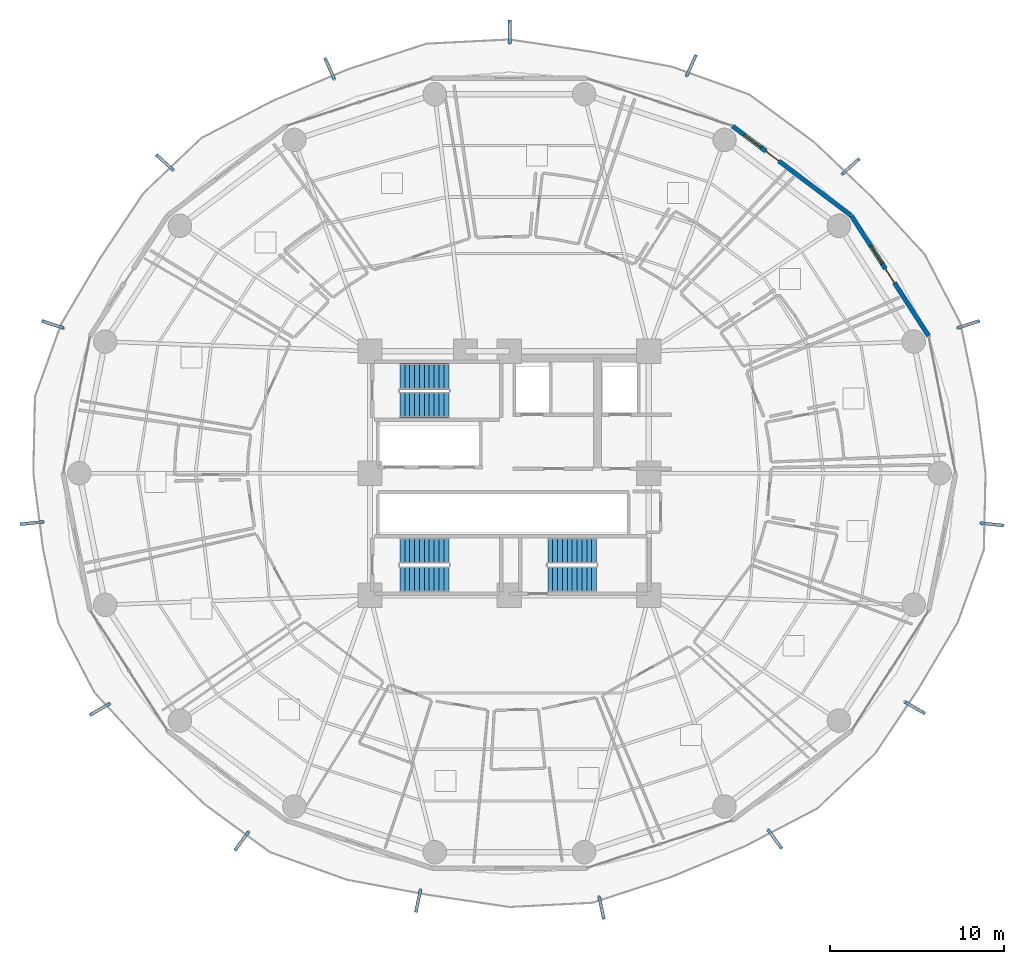
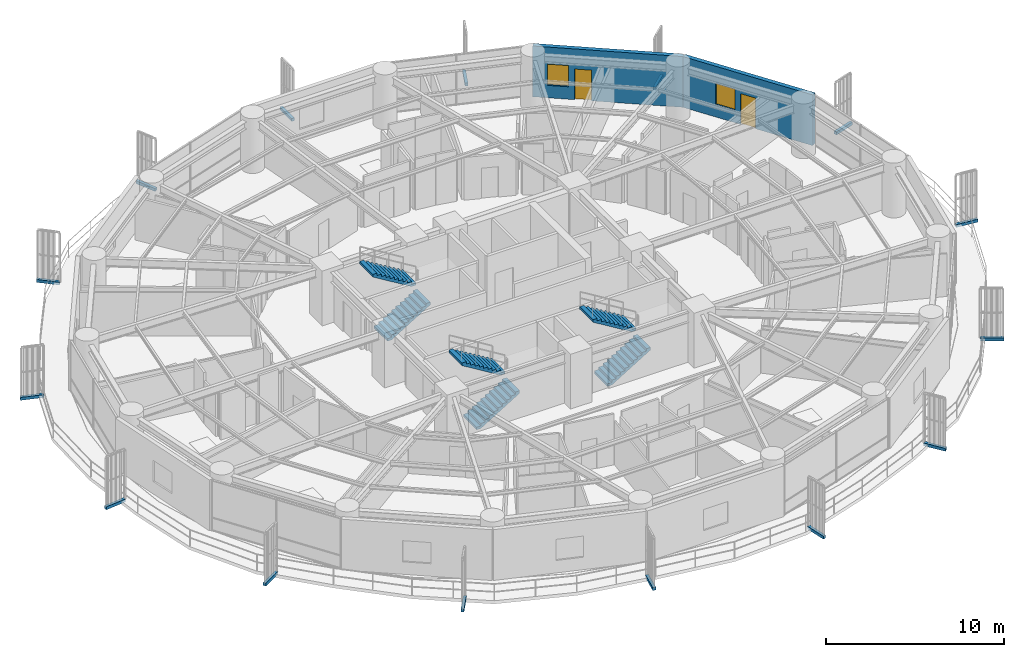
# One storey, part 31 of 35: 15 discrete accessories, 6 stair flights, 2 doors, 2 walls, 2 windows, 4 openings, 3 elements without a shape of their own.
"""IFC4 building model written with IfcOpenShell, lengths in metres."""

from ifc_helpers import new_model, si_unit, direction, frame, frame_2d, origin, origin_2d, place, context, subcontext, project, spatial, polyline, rectangle, outline, extrude, source, transform, mapped, material, layer, layer_set, type_object, element, fill, aggregate, save


model = new_model("IFC4")

# Units and contexts
model_context = context("Model", 3, precision=1e-05, world=origin(), true_north=direction((0.0, 1.0)))
body_context = subcontext(model_context, "Body", "Model", "MODEL_VIEW")
ifc_project = project(units=[si_unit("LENGTHUNIT", "METRE"), si_unit("AREAUNIT", "SQUARE_METRE"), si_unit("VOLUMEUNIT", "CUBIC_METRE"), si_unit("PLANEANGLEUNIT", "RADIAN"), si_unit("MASSUNIT", "GRAM", prefix="KILO")], contexts=[model_context])

# Site, building, storey
site_placement = place(None, origin())
site = spatial("IfcSite", under=ifc_project, at=site_placement, CompositionType="ELEMENT")
building_placement = place(site_placement, origin())
building = spatial("IfcBuilding", under=site, at=building_placement, Name="Kelanora Arch Commons", CompositionType="ELEMENT")
storey_placement = place(building_placement, frame((0.0, 0.0, 87.60009765625)))
storey = spatial("IfcBuildingStorey", under=building, at=storey_placement, Name="L22", CompositionType="ELEMENT", Elevation=87.60009765625)

# Wall, openings, door, window
ifc_material_1 = material(Name="Precast concrete C40/50 with terracotta rainscreen", Category="masonry")
ifc_layer = layer(ifc_material_1, 0.260009765625)
ifc_layer_set = layer_set([ifc_layer], Name="Precast concrete C40/50 with terracotta rainscreen")
wall_type = type_object("IfcWallType", Name="W-EXT-TC", PredefinedType="SOLIDWALL", material=ifc_layer_set)
wall_1_placement = place(storey_placement, frame((98.048095703125, 65.879150390625, 0.0), z_axis=(0.0, 0.0, 1.0), x_axis=(-0.540620528459, 0.841266571432, 0.0)))
wall_1 = element("IfcWall", 1, at=wall_1_placement, inside=storey, type_object=wall_type, Name="Terracotta Exterior Wall L22-B01", PredefinedType="SOLIDWALL", context=body_context, shape_type="SweptSolid", body=[
    extrude(rectangle(XDim=8.19287109375, YDim=0.260009765625, at=frame_2d((4.096435546875, 0.0))), origin(), (0.0, 0.0, 1.0), 3.474853515625),
])
opening_1_placement = place(wall_1_placement, frame((3.62109375, 0.0, 0.0)))
opening_1 = element("IfcOpeningElement", 2, at=opening_1_placement, cuts=wall_1, Name="Opening DB-01", PredefinedType="OPENING", context=body_context, shape_type="SweptSolid", body=[
    extrude(rectangle(XDim=0.949951171875, YDim=2.10009765625, at=frame_2d((0.47509765625, 1.050048828125))), frame((0.0, 0.14013671875, 0.0), z_axis=(0.0, -1.0, 0.0), x_axis=(1.0, 0.0, 0.0)), (0.0, 0.0, 1.0), 0.280029296875),
])
opening_2_placement = place(wall_1_placement, frame((4.9208984375, 0.0, 0.85009765625)))
opening_2 = element("IfcOpeningElement", 3, at=opening_2_placement, cuts=wall_1, Name="Opening WN-02", PredefinedType="OPENING", context=body_context, shape_type="SweptSolid", body=[
    extrude(rectangle(XDim=1.199951171875, YDim=1.449951171875, at=frame_2d((0.60009765625, 0.72509765625))), frame((0.0, 0.14013671875, 0.0), z_axis=(0.0, -1.0, 0.0), x_axis=(1.0, 0.0, 0.0)), (0.0, 0.0, 1.0), 0.280029296875),
])
ifc_material_2 = material(Name="Terracotta-aluminium thermally broken glazed balcony door", Category="masonry")
door_type = type_object("IfcDoorType", Name="D-BAL-10", OperationType="NOTDEFINED", PredefinedType="DOOR", material=ifc_material_2)
door_1_placement = place(opening_1_placement, frame((0.949951171875, 0.0, 0.0), z_axis=(0.0, 0.0, 1.0), x_axis=(-1.0, 0.0, 0.0)))
door_1 = element("IfcDoor", 4, at=door_1_placement, inside=storey, type_object=door_type, Name="Wave Balcony Door L22-B01", OperationType="SINGLE_SWING_RIGHT", OverallHeight=2.10009765625, OverallWidth=0.949951171875, PredefinedType="DOOR", context=body_context, shape_type="SweptSolid", body=[
    extrude(rectangle(XDim=0.949951171875, YDim=2.10009765625, at=frame_2d((0.47509765625, 1.050048828125))), frame((0.0, 0.02490234375, 0.0), z_axis=(0.0, -1.0, 0.0), x_axis=(1.0, 0.0, 0.0)), (0.0, 0.0, 1.0), 0.050048828125),
])
fill(opening_1, door_1)
ifc_material_3 = material(Name="Terracotta-anodised aluminium frame with operable awning sash", Category="masonry")
window_type = type_object("IfcWindowType", Name="WIN-CL-12", PartitioningType="SINGLE_PANEL", PredefinedType="WINDOW", material=ifc_material_3)
window_1_placement = place(opening_2_placement, origin())
window_1 = element("IfcWindow", 5, at=window_1_placement, inside=storey, type_object=window_type, Name="Co-Living Operable Window L22-B01", OverallHeight=1.449951171875, OverallWidth=1.199951171875, PartitioningType="SINGLE_PANEL", PredefinedType="WINDOW", context=body_context, shape_type="SweptSolid", body=[
    extrude(rectangle(XDim=1.199951171875, YDim=1.449951171875, at=frame_2d((0.60009765625, 0.72509765625))), frame((0.0, 0.030029296875, 0.0), z_axis=(0.0, -1.0, 0.0), x_axis=(1.0, 0.0, 0.0)), (0.0, 0.0, 1.0), 0.06005859375),
])
fill(opening_2, window_1)

wall_2_placement = place(storey_placement, frame((93.5986328125, 72.793212890625, 0.0), z_axis=(0.0, 0.0, 1.0), x_axis=(-0.798501507879, 0.601992808857, 0.0)))
wall_2 = element("IfcWall", 6, at=wall_2_placement, inside=storey, type_object=wall_type, Name="Terracotta Exterior Wall L22-B02", PredefinedType="SOLIDWALL", context=body_context, shape_type="SweptSolid", body=[
    extrude(rectangle(XDim=8.499267578125, YDim=0.260009765625, at=frame_2d((4.24951171875, 0.0))), origin(), (0.0, 0.0, 1.0), 3.474853515625),
])
opening_3_placement = place(wall_2_placement, frame((5.175048828125, 0.0, 0.0)))
opening_3 = element("IfcOpeningElement", 7, at=opening_3_placement, cuts=wall_2, Name="Opening DB-01", PredefinedType="OPENING", context=body_context, shape_type="SweptSolid", body=[
    extrude(rectangle(XDim=0.949951171875, YDim=2.10009765625, at=frame_2d((0.47509765625, 1.050048828125))), frame((0.0, 0.14013671875, 0.0), z_axis=(0.0, -1.0, 0.0), x_axis=(1.0, 0.0, 0.0)), (0.0, 0.0, 1.0), 0.280029296875),
])
opening_4_placement = place(wall_2_placement, frame((6.47509765625, 0.0, 0.85009765625)))
opening_4 = element("IfcOpeningElement", 8, at=opening_4_placement, cuts=wall_2, Name="Opening WN-02", PredefinedType="OPENING", context=body_context, shape_type="SweptSolid", body=[
    extrude(rectangle(XDim=1.199951171875, YDim=1.449951171875, at=frame_2d((0.60009765625, 0.72509765625))), frame((0.0, 0.14013671875, 0.0), z_axis=(0.0, -1.0, 0.0), x_axis=(1.0, 0.0, 0.0)), (0.0, 0.0, 1.0), 0.280029296875),
])
door_2_placement = place(opening_3_placement, frame((0.949951171875, 0.0, 0.0), z_axis=(0.0, 0.0, 1.0), x_axis=(-1.0, 0.0, 0.0)))
door_2 = element("IfcDoor", 9, at=door_2_placement, inside=storey, type_object=door_type, Name="Wave Balcony Door L22-B02", OperationType="SINGLE_SWING_LEFT", OverallHeight=2.10009765625, OverallWidth=0.949951171875, PredefinedType="DOOR", context=body_context, shape_type="SweptSolid", body=[
    extrude(rectangle(XDim=0.949951171875, YDim=2.10009765625, at=frame_2d((0.47509765625, 1.050048828125))), frame((0.0, 0.02490234375, 0.0), z_axis=(0.0, -1.0, 0.0), x_axis=(1.0, 0.0, 0.0)), (0.0, 0.0, 1.0), 0.050048828125),
])
fill(opening_3, door_2)
window_2_placement = place(opening_4_placement, origin())
window_2 = element("IfcWindow", 10, at=window_2_placement, inside=storey, type_object=window_type, Name="Co-Living Operable Window L22-B02", OverallHeight=1.449951171875, OverallWidth=1.199951171875, PartitioningType="SINGLE_PANEL", PredefinedType="WINDOW", context=body_context, shape_type="SweptSolid", body=[
    extrude(rectangle(XDim=1.199951171875, YDim=1.449951171875, at=frame_2d((0.60009765625, 0.72509765625))), frame((0.0, 0.030029296875, 0.0), z_axis=(0.0, -1.0, 0.0), x_axis=(1.0, 0.0, 0.0)), (0.0, 0.0, 1.0), 0.06005859375),
])
fill(opening_4, window_2)

# Stair, stair flights
ifc_material_4 = material(Name="Concrete C40/50", Category="concrete")
stair_type = type_object("IfcStairType", Name="STR-DL-375", PredefinedType="HALF_TURN_STAIR", material=ifc_material_4)
stair_1_placement = place(storey_placement, origin())
stair_1 = element("IfcStair", 11, at=stair_1_placement, inside=storey, type_object=stair_type, Name="L22 ST-T1", PredefinedType="HALF_TURN_STAIR")
stair_flight_type = type_object("IfcStairFlightType", Name="FLT-DL-375", PredefinedType="STRAIGHT", material=ifc_material_4)
stair_flight_1_placement = place(storey_placement, frame((67.719970703125, 61.919921875, 0.0), z_axis=(0.0, 0.0, 1.0), x_axis=(1.0, 0.0, 0.0)))
stair_flight_1 = element("IfcStairFlight", 12, at=stair_flight_1_placement, type_object=stair_flight_type, Name="ST-T1 flight 1", NumberOfRisers=11, NumberOfTreads=10, PredefinedType="STRAIGHT", RiserHeight=0.170454545, TreadLength=0.28, context=body_context, shape_type="SweptSolid", body=[
    extrude(outline(polyline([(0.0, 0.0), (0.0, 0.17041015625), (0.280029296875, 0.17041015625), (0.280029296875, 0.3408203125), (0.56005859375, 0.3408203125), (0.56005859375, 0.511474609375), (0.840087890625, 0.511474609375), (0.840087890625, 0.681884765625), (1.1201171875, 0.681884765625), (1.1201171875, 0.852294921875), (1.39990234375, 0.852294921875), (1.39990234375, 1.022705078125), (1.679931640625, 1.022705078125), (1.679931640625, 1.193115234375), (1.9599609375, 1.193115234375), (1.9599609375, 1.363525390625), (2.239990234375, 1.363525390625), (2.239990234375, 1.5341796875), (2.52001953125, 1.5341796875), (2.52001953125, 1.70458984375), (2.800048828125, 1.70458984375), (2.800048828125, 1.875), (2.800048828125, 1.529052734375), (0.288330078125, 0.0), (0.0, 0.0)])), frame((0.0, 0.739990234375, 0.0), z_axis=(0.0, -1.0, 0.0), x_axis=(1.0, 0.0, 0.0)), (0.0, 0.0, 1.0), 1.47998046875),
])
stair_flight_2_placement = place(storey_placement, frame((70.52001953125, 63.550048828125, 1.875), z_axis=(0.0, 0.0, 1.0), x_axis=(-1.0, 0.0, 0.0)))
stair_flight_2 = element("IfcStairFlight", 13, at=stair_flight_2_placement, type_object=stair_flight_type, Name="ST-T1 flight 2", NumberOfRisers=11, NumberOfTreads=10, PredefinedType="STRAIGHT", RiserHeight=0.170454545, TreadLength=0.28, context=body_context, shape_type="SweptSolid", body=[
    extrude(outline(polyline([(0.0, 0.0), (0.0, 0.17041015625), (0.280029296875, 0.17041015625), (0.280029296875, 0.3408203125), (0.56005859375, 0.3408203125), (0.56005859375, 0.511474609375), (0.840087890625, 0.511474609375), (0.840087890625, 0.681884765625), (1.1201171875, 0.681884765625), (1.1201171875, 0.852294921875), (1.39990234375, 0.852294921875), (1.39990234375, 1.022705078125), (1.679931640625, 1.022705078125), (1.679931640625, 1.193115234375), (1.9599609375, 1.193115234375), (1.9599609375, 1.363525390625), (2.239990234375, 1.363525390625), (2.239990234375, 1.5341796875), (2.52001953125, 1.5341796875), (2.52001953125, 1.70458984375), (2.800048828125, 1.70458984375), (2.800048828125, 1.875), (2.800048828125, 1.529052734375), (0.288330078125, 0.0), (0.0, 0.0)])), frame((0.0, 0.739990234375, 0.0), z_axis=(0.0, -1.0, 0.0), x_axis=(1.0, 0.0, 0.0)), (0.0, 0.0, 1.0), 1.47998046875),
])
aggregate(stair_1, [stair_flight_1, stair_flight_2])

stair_2_placement = place(storey_placement, origin())
stair_2 = element("IfcStair", 14, at=stair_2_placement, inside=storey, type_object=stair_type, Name="L22 ST-T2", PredefinedType="HALF_TURN_STAIR")
stair_flight_3_placement = place(storey_placement, frame((76.199951171875, 51.919921875, 0.0), z_axis=(0.0, 0.0, 1.0), x_axis=(1.0, 0.0, 0.0)))
stair_flight_3 = element("IfcStairFlight", 15, at=stair_flight_3_placement, type_object=stair_flight_type, Name="ST-T2 flight 1", NumberOfRisers=11, NumberOfTreads=10, PredefinedType="STRAIGHT", RiserHeight=0.170454545, TreadLength=0.28, context=body_context, shape_type="SweptSolid", body=[
    extrude(outline(polyline([(0.0, 0.0), (0.0, 0.17041015625), (0.280029296875, 0.17041015625), (0.280029296875, 0.3408203125), (0.56005859375, 0.3408203125), (0.56005859375, 0.511474609375), (0.840087890625, 0.511474609375), (0.840087890625, 0.681884765625), (1.1201171875, 0.681884765625), (1.1201171875, 0.852294921875), (1.39990234375, 0.852294921875), (1.39990234375, 1.022705078125), (1.679931640625, 1.022705078125), (1.679931640625, 1.193115234375), (1.9599609375, 1.193115234375), (1.9599609375, 1.363525390625), (2.239990234375, 1.363525390625), (2.239990234375, 1.5341796875), (2.52001953125, 1.5341796875), (2.52001953125, 1.70458984375), (2.800048828125, 1.70458984375), (2.800048828125, 1.875), (2.800048828125, 1.529052734375), (0.288330078125, 0.0), (0.0, 0.0)])), frame((0.0, 0.739990234375, 0.0), z_axis=(0.0, -1.0, 0.0), x_axis=(1.0, 0.0, 0.0)), (0.0, 0.0, 1.0), 1.47998046875),
])
stair_flight_4_placement = place(storey_placement, frame((79.0, 53.550048828125, 1.875), z_axis=(0.0, 0.0, 1.0), x_axis=(-1.0, 0.0, 0.0)))
stair_flight_4 = element("IfcStairFlight", 16, at=stair_flight_4_placement, type_object=stair_flight_type, Name="ST-T2 flight 2", NumberOfRisers=11, NumberOfTreads=10, PredefinedType="STRAIGHT", RiserHeight=0.170454545, TreadLength=0.28, context=body_context, shape_type="SweptSolid", body=[
    extrude(outline(polyline([(0.0, 0.0), (0.0, 0.17041015625), (0.280029296875, 0.17041015625), (0.280029296875, 0.3408203125), (0.56005859375, 0.3408203125), (0.56005859375, 0.511474609375), (0.840087890625, 0.511474609375), (0.840087890625, 0.681884765625), (1.1201171875, 0.681884765625), (1.1201171875, 0.852294921875), (1.39990234375, 0.852294921875), (1.39990234375, 1.022705078125), (1.679931640625, 1.022705078125), (1.679931640625, 1.193115234375), (1.9599609375, 1.193115234375), (1.9599609375, 1.363525390625), (2.239990234375, 1.363525390625), (2.239990234375, 1.5341796875), (2.52001953125, 1.5341796875), (2.52001953125, 1.70458984375), (2.800048828125, 1.70458984375), (2.800048828125, 1.875), (2.800048828125, 1.529052734375), (0.288330078125, 0.0), (0.0, 0.0)])), frame((0.0, 0.739990234375, 0.0), z_axis=(0.0, -1.0, 0.0), x_axis=(1.0, 0.0, 0.0)), (0.0, 0.0, 1.0), 1.47998046875),
])
aggregate(stair_2, [stair_flight_3, stair_flight_4])

stair_3_placement = place(storey_placement, origin())
stair_3 = element("IfcStair", 17, at=stair_3_placement, inside=storey, type_object=stair_type, Name="L22 ST-T3", PredefinedType="HALF_TURN_STAIR")
stair_flight_5_placement = place(storey_placement, frame((67.719970703125, 51.919921875, 0.0), z_axis=(0.0, 0.0, 1.0), x_axis=(1.0, 0.0, 0.0)))
stair_flight_5 = element("IfcStairFlight", 18, at=stair_flight_5_placement, type_object=stair_flight_type, Name="ST-T3 flight 1", NumberOfRisers=11, NumberOfTreads=10, PredefinedType="STRAIGHT", RiserHeight=0.170454545, TreadLength=0.28, context=body_context, shape_type="SweptSolid", body=[
    extrude(outline(polyline([(0.0, 0.0), (0.0, 0.17041015625), (0.280029296875, 0.17041015625), (0.280029296875, 0.3408203125), (0.56005859375, 0.3408203125), (0.56005859375, 0.511474609375), (0.840087890625, 0.511474609375), (0.840087890625, 0.681884765625), (1.1201171875, 0.681884765625), (1.1201171875, 0.852294921875), (1.39990234375, 0.852294921875), (1.39990234375, 1.022705078125), (1.679931640625, 1.022705078125), (1.679931640625, 1.193115234375), (1.9599609375, 1.193115234375), (1.9599609375, 1.363525390625), (2.239990234375, 1.363525390625), (2.239990234375, 1.5341796875), (2.52001953125, 1.5341796875), (2.52001953125, 1.70458984375), (2.800048828125, 1.70458984375), (2.800048828125, 1.875), (2.800048828125, 1.529052734375), (0.288330078125, 0.0), (0.0, 0.0)])), frame((0.0, 0.739990234375, 0.0), z_axis=(0.0, -1.0, 0.0), x_axis=(1.0, 0.0, 0.0)), (0.0, 0.0, 1.0), 1.47998046875),
])
stair_flight_6_placement = place(storey_placement, frame((70.52001953125, 53.550048828125, 1.875), z_axis=(0.0, 0.0, 1.0), x_axis=(-1.0, 0.0, 0.0)))
stair_flight_6 = element("IfcStairFlight", 19, at=stair_flight_6_placement, type_object=stair_flight_type, Name="ST-T3 flight 2", NumberOfRisers=11, NumberOfTreads=10, PredefinedType="STRAIGHT", RiserHeight=0.170454545, TreadLength=0.28, context=body_context, shape_type="SweptSolid", body=[
    extrude(outline(polyline([(0.0, 0.0), (0.0, 0.17041015625), (0.280029296875, 0.17041015625), (0.280029296875, 0.3408203125), (0.56005859375, 0.3408203125), (0.56005859375, 0.511474609375), (0.840087890625, 0.511474609375), (0.840087890625, 0.681884765625), (1.1201171875, 0.681884765625), (1.1201171875, 0.852294921875), (1.39990234375, 0.852294921875), (1.39990234375, 1.022705078125), (1.679931640625, 1.022705078125), (1.679931640625, 1.193115234375), (1.9599609375, 1.193115234375), (1.9599609375, 1.363525390625), (2.239990234375, 1.363525390625), (2.239990234375, 1.5341796875), (2.52001953125, 1.5341796875), (2.52001953125, 1.70458984375), (2.800048828125, 1.70458984375), (2.800048828125, 1.875), (2.800048828125, 1.529052734375), (0.288330078125, 0.0), (0.0, 0.0)])), frame((0.0, 0.739990234375, 0.0), z_axis=(0.0, -1.0, 0.0), x_axis=(1.0, 0.0, 0.0)), (0.0, 0.0, 1.0), 1.47998046875),
])
aggregate(stair_3, [stair_flight_5, stair_flight_6])

# Discrete accessories
ifc_material_5 = material(Name="Stainless steel 316 marine fin bracket", Category="steel")
discrete_accessory_type = type_object("IfcDiscreteAccessoryType", Name="ACC-FIN-BRK", PredefinedType="BRACKET", material=ifc_material_5)
shared_shape = source(origin(), body_context, "Body", "SweptSolid", [
    extrude(rectangle(XDim=1.32861328125, YDim=0.179931640625, at=origin_2d()), origin(), (0.0, 0.0, 1.0), 0.199951171875),
])
for number, where, z_axis, x_axis, name in (
    (20, (93.58251953125, 75.606201171875, -0.16015625), (0.0, 0.0, 1.0), (0.743611785628, 0.668611630377, 0.0), "Sweeping Fin Cantilever Spine Bracket L22-00"),
    (21, (84.435791015625, 81.39306640625, -0.16015625), (0.0, 0.0, 1.0), (0.407374318949, 0.913261279296, 0.0), "Sweeping Fin Cantilever Spine Bracket L22-01"),
    (22, (74.0185546875, 83.327880859375, -0.16015625), (0.0, 0.0, 1.0), (0.000698131644, 0.999999756306, 0.0), "Sweeping Fin Cantilever Spine Bracket L22-02"),
    (23, (63.68505859375, 81.21337890625, -0.16015625), (0.0, 0.0, 1.0), (-0.406098768964, 0.913829190738, 0.0), "Sweeping Fin Cantilever Spine Bracket L22-03"),
    (24, (54.2216796875, 75.834716796875, -0.16015625), (0.0, 0.0, 1.0), (-0.742677503127, 0.669649256215, 0.0), "Sweeping Fin Cantilever Spine Bracket L22-04"),
    (25, (47.7998046875, 66.5341796875, -0.16015625), (0.0, 0.0, 1.0), (-0.950840549986, 0.309680881719, 0.0), "Sweeping Fin Cantilever Spine Bracket L22-05"),
    (26, (46.602783203125, 55.140869140625, -0.16015625), (0.0, 0.0, 1.0), (-0.994594627637, -0.103834130589, 0.0), "Sweeping Fin Cantilever Spine Bracket L22-06"),
    (27, (50.49853515625, 44.454345703125, -0.16015625), (0.0, 0.0, 1.0), (-0.866374258561, -0.499395278414, 0.0), "Sweeping Fin Cantilever Spine Bracket L22-07"),
    (28, (58.644287109375, 36.897216796875, -0.16015625), (0.0, 0.0, 1.0), (-0.588349909417, -0.808606445738, 0.0), "Sweeping Fin Cantilever Spine Bracket L22-08"),
    (29, (68.765869140625, 33.4638671875, -0.16015625), (0.0, 0.0, 1.0), (-0.208594515944, -0.978002212635, 0.0), "Sweeping Fin Cantilever Spine Bracket L22-09"),
    (30, (79.281494140625, 33.062744140625, -0.16015625), (0.0, 0.0, 1.0), (0.207228764358, -0.978292512096, 0.0), "Sweeping Fin Cantilever Spine Bracket L22-10"),
    (31, (89.2314453125, 37.00341796875, -0.16015625), (0.0, 0.0, 1.0), (0.587220308688, -0.809427148707, 0.0), "Sweeping Fin Cantilever Spine Bracket L22-11"),
    (32, (97.266845703125, 44.544189453125, -0.16015625), (0.0, 0.0, 1.0), (0.865676126917, -0.500604477892, 0.0), "Sweeping Fin Cantilever Spine Bracket L22-12"),
    (33, (101.69384765625, 55.068603515625, -0.16015625), (0.0, 0.0, 1.0), (0.994448678381, -0.105222745001, 0.0), "Sweeping Fin Cantilever Spine Bracket L22-13"),
    (34, (100.33837890625, 66.53662109375, -0.16015625), (0.0, 0.0, 1.0), (0.951272019071, 0.30835295642, 0.0), "Sweeping Fin Cantilever Spine Bracket L22-14"),
):
    element("IfcDiscreteAccessory", number, at=place(storey_placement, frame(where, z_axis=z_axis, x_axis=x_axis)), inside=storey, type_object=discrete_accessory_type, Name=name, PredefinedType="BRACKET", context=body_context, shape_type="MappedRepresentation", body=[
        mapped(shared_shape, transform((0.0, 0.0, 0.0), scale=1.0)),
    ])

save(model, "model.ifc")
